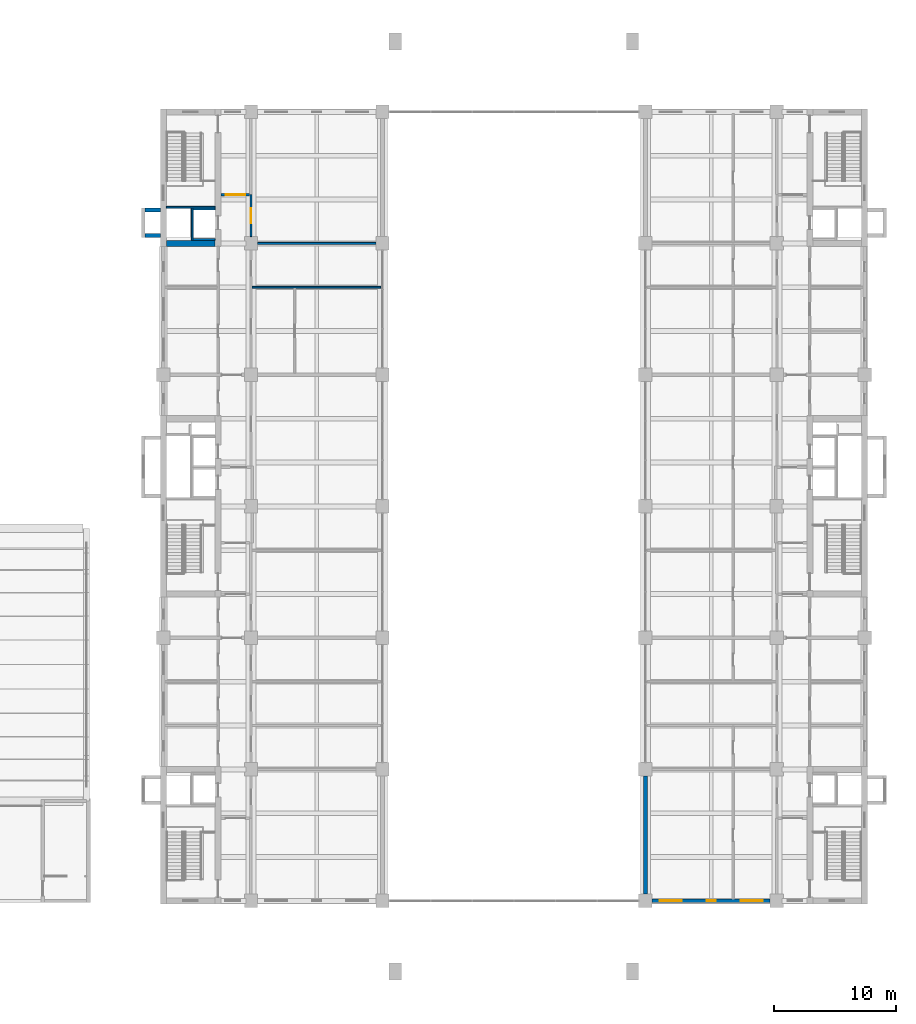
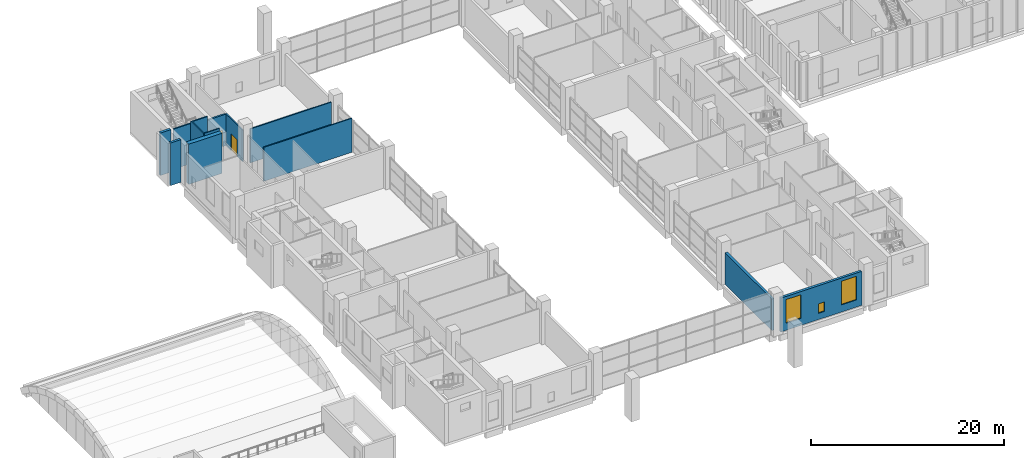
# One storey, part 19 of 32: 13 walls, 3 windows, 2 doors, 5 openings.
"""IFC4 building model written with IfcOpenShell, lengths in metres."""

import ifcopenshell
import ifcopenshell.guid

model = None  # the IFC model being written
_history = None  # IfcOwnerHistory: only IFC2X3 demands one
_inside = {}  # id of a spatial element -> (the spatial element, [elements in it])
_under = {}  # id of a project, library or spatial element -> (it, [spatial elements below it])
_declared = {}  # id of a project -> (the project, [libraries it declares])
_typed = {}  # id of a type object -> (the type object, [elements of that type])
_made_of = {}  # id of a material, layer set ... -> (it, [elements and type objects made of it])


def new_model(schema):
    """Start an empty IFC model of exactly this schema.

    Asked for "IFC4X3", IfcOpenShell would pick the latest addendum, in which some entities
    have other attributes; the version numbers below select the first issue.
    IFC2X3 requires an IfcOwnerHistory on every rooted entity: one is made here for all.
    """
    global model, _history
    if schema == "IFC4X3":
        model = ifcopenshell.file(schema_version=(4, 3, 0, 0))
    else:
        model = ifcopenshell.file(schema=schema)
    _inside.clear()
    _under.clear()
    _declared.clear()
    _typed.clear()
    _made_of.clear()
    _history = None
    if model.schema == "IFC2X3":
        org = make("IfcOrganization", Name="unknown")
        user = make(
            "IfcPersonAndOrganization",
            ThePerson=make("IfcPerson", FamilyName="unknown"),
            TheOrganization=org,
        )
        app = make(
            "IfcApplication",
            ApplicationDeveloper=org,
            Version="unknown",
            ApplicationFullName="unknown",
            ApplicationIdentifier="unknown",
        )
        _history = make(
            "IfcOwnerHistory",
            OwningUser=user,
            OwningApplication=app,
            ChangeAction="ADDED",
            CreationDate=0,
        )
    return model


def make(cls, **values):
    """One entity of the class cls with the attributes given. An attribute that is None is left unset."""
    return model.create_entity(
        cls, **{name: value for name, value in values.items() if value is not None}
    )


def rooted(cls, **values):
    """An entity with a GlobalId (a new one), such as an element, a storey or a relation."""
    return make(cls, GlobalId=ifcopenshell.guid.new(), OwnerHistory=_history, **values)


def si_unit(unit_type, name, prefix=None):
    """IfcSIUnit, for example si_unit("LENGTHUNIT", "METRE", prefix="MILLI")."""
    return make("IfcSIUnit", UnitType=unit_type, Prefix=prefix, Name=name)


def assignment(units):
    """IfcUnitAssignment: the units of a project."""
    return None if units is None else make("IfcUnitAssignment", Units=units)


def point(xyz):
    """IfcCartesianPoint."""
    return None if xyz is None else make("IfcCartesianPoint", Coordinates=xyz)


def direction(xyz):
    """IfcDirection."""
    return None if xyz is None else make("IfcDirection", DirectionRatios=xyz)


def frame(location, z_axis=None, x_axis=None):
    """IfcAxis2Placement3D, a coordinate frame: its origin and axes. An axis left out is left unset."""
    return make(
        "IfcAxis2Placement3D",
        Location=point(location),
        Axis=direction(z_axis),
        RefDirection=direction(x_axis),
    )


def frame_2d(location, x_axis=None):
    """IfcAxis2Placement2D, a coordinate frame in the plane: its origin and x axis."""
    return make(
        "IfcAxis2Placement2D", Location=point(location), RefDirection=direction(x_axis)
    )


def origin():
    """The frame at (0, 0, 0) with its axes left unset."""
    return frame((0.0, 0.0, 0.0))


def place(relative_to, where):
    """IfcLocalPlacement: puts the frame where relative to a parent placement (None: the world)."""
    return make(
        "IfcLocalPlacement", PlacementRelTo=relative_to, RelativePlacement=where
    )


def context(
    kind, dimensions, precision=None, world=None, true_north=None, identifier=None
):
    """IfcGeometricRepresentationContext, for example the 3D "Model" context."""
    return make(
        "IfcGeometricRepresentationContext",
        ContextIdentifier=identifier,
        ContextType=kind,
        CoordinateSpaceDimension=dimensions,
        Precision=precision,
        WorldCoordinateSystem=world,
        TrueNorth=true_north,
    )


def subcontext(parent, identifier, kind, view, scale=None):
    """IfcGeometricRepresentationSubContext, for example "Body" below "Model"."""
    return make(
        "IfcGeometricRepresentationSubContext",
        ContextIdentifier=identifier,
        ContextType=kind,
        ParentContext=parent,
        TargetScale=scale,
        TargetView=view,
    )


def project(units=None, contexts=None):
    """IfcProject with its units and contexts."""
    return rooted(
        "IfcProject",
        Name="project",
        RepresentationContexts=contexts,
        UnitsInContext=assignment(units),
    )


def spatial(cls, under=None, at=None, **own):
    """A site, building, storey or space (cls), placed at a placement, below another one or the project."""
    s = rooted(cls, ObjectPlacement=at, **own)
    if under is not None:
        _under.setdefault(under.id(), (under, []))[1].append(s)
    return s


def profile(cls, at=None, kind="AREA", **sizes):
    """A parametric profile (cls). Its sizes go by their IFC names, for example OverallWidth=200.0."""
    return make(cls, ProfileType=kind, Position=at, **sizes)


def rectangle(**sizes):
    """IfcRectangleProfileDef."""
    return profile("IfcRectangleProfileDef", **sizes)


def extrude(swept, where, along, depth):
    """IfcExtrudedAreaSolid: the profile swept, set in the frame where, extruded along a direction by depth."""
    return make(
        "IfcExtrudedAreaSolid",
        SweptArea=swept,
        Position=where,
        ExtrudedDirection=direction(along),
        Depth=depth,
    )


def shape(context_of_items, identifier, shape_type, items):
    """IfcShapeRepresentation: the items that make up one representation, for example the "Body"."""
    return make(
        "IfcShapeRepresentation",
        ContextOfItems=context_of_items,
        RepresentationIdentifier=identifier,
        RepresentationType=shape_type,
        Items=items,
    )


def material(Name=None, Category=None):
    """IfcMaterial."""
    return make("IfcMaterial", Name=Name, Category=Category)


def layer(
    of_material, thickness, ventilated=None, Name=None, Category=None, Priority=None
):
    """IfcMaterialLayer: one layer of a wall or slab, of a material (None: an air gap)."""
    return make(
        "IfcMaterialLayer",
        Material=of_material,
        LayerThickness=thickness,
        IsVentilated=ventilated,
        Name=Name,
        Category=Category,
        Priority=Priority,
    )


def layer_set(layers, Name=None):
    """IfcMaterialLayerSet."""
    return make("IfcMaterialLayerSet", MaterialLayers=layers, LayerSetName=Name)


def made_of(thing, what):
    """Note that an element or type object is made of a material, layer set ...; save() writes the relation."""
    if what is not None:
        _made_of.setdefault(what.id(), (what, []))[1].append(thing)
    return thing


def type_object(cls, material=None, **own):
    """A type object (cls), such as IfcWallType, which elements share."""
    return made_of(rooted(cls, **own), material)


def element(
    cls,
    number,
    at=None,
    inside=None,
    cuts=None,
    type_object=None,
    material=None,
    context=None,
    identifier="Body",
    shape_type=None,
    held_by="IfcProductDefinitionShape",
    body=None,
    shapes=None,
    **own,
):
    """One element of the class cls, such as IfcWall. Its Tag is "e" and its number.

    at: its placement. inside: the storey or other place that contains it. cuts: it is an
    opening in that element (IfcRelVoidsElement). A single representation is given by context,
    identifier, shape_type and body (its items); several are given by shapes. held_by: the class
    of the entity that holds the representations. save() writes the other relations.
    """
    e = rooted(cls, Tag="e%d" % number, ObjectPlacement=at, **own)
    if body is not None:
        shapes = [shape(context, identifier, shape_type, body)]
    if shapes is not None:
        e.Representation = make(held_by, Representations=shapes)
    if inside is not None:
        _inside.setdefault(inside.id(), (inside, []))[1].append(e)
    if cuts is not None:
        rooted(
            "IfcRelVoidsElement", RelatingBuildingElement=cuts, RelatedOpeningElement=e
        )
    if type_object is not None:
        _typed.setdefault(type_object.id(), (type_object, []))[1].append(e)
    return made_of(e, material)


def fill(opening, filler):
    """IfcRelFillsElement: the door or window that sits in an opening."""
    return rooted(
        "IfcRelFillsElement",
        RelatingOpeningElement=opening,
        RelatedBuildingElement=filler,
    )


def aggregate(whole, parts):
    """IfcRelAggregates: a whole, such as a stair, and the parts it consists of."""
    return rooted("IfcRelAggregates", RelatingObject=whole, RelatedObjects=parts)


def save(model, path):
    """Write the relations noted so far, then the file.

    IfcRelAggregates (storeys below a building ...), IfcRelContainedInSpatialStructure (elements
    in a storey), IfcRelDefinesByType, IfcRelAssociatesMaterial and IfcRelDeclares: one each for
    every whole, place, type object, material and project.
    """
    for whole, parts in _under.values():
        aggregate(whole, parts)
    for where, things in _inside.values():
        rooted(
            "IfcRelContainedInSpatialStructure",
            RelatedElements=things,
            RelatingStructure=where,
        )
    for kind, things in _typed.values():
        rooted("IfcRelDefinesByType", RelatedObjects=things, RelatingType=kind)
    for what, things in _made_of.values():
        rooted("IfcRelAssociatesMaterial", RelatedObjects=things, RelatingMaterial=what)
    for by, libraries in _declared.values():
        rooted("IfcRelDeclares", RelatingContext=by, RelatedDefinitions=libraries)
    model.write(path)


model = new_model("IFC4")

# Units and contexts
model_context = context("Model", 3, precision=1e-05, world=origin(), true_north=direction((0.0, 1.0)))
body_context = subcontext(model_context, "Body", "Model", "MODEL_VIEW")
ifc_project = project(units=[si_unit("LENGTHUNIT", "METRE"), si_unit("AREAUNIT", "SQUARE_METRE"), si_unit("VOLUMEUNIT", "CUBIC_METRE"), si_unit("PLANEANGLEUNIT", "RADIAN"), si_unit("MASSUNIT", "GRAM", prefix="KILO")], contexts=[model_context])

# Site, building, storey
site_placement = place(None, origin())
site = spatial("IfcSite", under=ifc_project, at=site_placement, CompositionType="ELEMENT")
building_placement = place(site_placement, origin())
building = spatial("IfcBuilding", under=site, at=building_placement, Name="Basin Gate Institute", CompositionType="ELEMENT")
storey_placement = place(building_placement, frame((0.0, 0.0, 11.39990234375)))
storey = spatial("IfcBuildingStorey", under=building, at=storey_placement, Name="L02", CompositionType="ELEMENT", Elevation=11.39990234375)

# Wall
ifc_material_1 = material(Name="Fire-resisting board wall assembly")
ifc_layer_1 = layer(ifc_material_1, 0.300048828125)
ifc_layer_set_1 = layer_set([ifc_layer_1], Name="Atrium enclosure wall EW4")
wall_type_1 = type_object("IfcWallType", Name="Atrium enclosure wall EW4", PredefinedType="STANDARD", material=ifc_layer_set_1)
wall_1_placement = place(storey_placement, frame((100.800048828125, 35.64990234375, 0.0), z_axis=(0.0, 0.0, 1.0), x_axis=(0.0, 1.0, 0.0)))
element("IfcWall", 1, at=wall_1_placement, inside=storey, type_object=wall_type_1, material=ifc_layer_set_1, Name="Atrium enclosure wall E wing bay 1 L02", PredefinedType="STANDARD", context=body_context, shape_type="SweptSolid", body=[
    extrude(rectangle(XDim=9.7001953125, YDim=0.300048828125, at=frame_2d((4.85009765625, 0.0))), origin(), (0.0, 0.0, 1.0), 4.0),
])

# Wall, opening, door
ifc_material_2 = material(Name="Fire-rated masonry", Category="masonry")
ifc_layer_2 = layer(ifc_material_2, 0.199951171875)
ifc_layer_set_2 = layer_set([ifc_layer_2], Name="Enclosure wall PW2 200 EI 60")
wall_type_2 = type_object("IfcWallType", Name="Enclosure wall PW2 200 EI 60", PredefinedType="PARTITIONING", material=ifc_layer_set_2)
wall_2_placement = place(storey_placement, frame((65.949951171875, 93.10009765625, 0.0), z_axis=(0.0, 0.0, 1.0), x_axis=(1.0, 0.0, 0.0)))
wall_2 = element("IfcWall", 2, at=wall_2_placement, inside=storey, type_object=wall_type_2, material=ifc_layer_set_2, Name="Smoke lobby enclosure wall PW2 L02", PredefinedType="PARTITIONING", context=body_context, shape_type="SweptSolid", body=[
    extrude(rectangle(XDim=2.35009765625, YDim=0.199951171875, at=frame_2d((1.175048828125, 0.0))), origin(), (0.0, 0.0, 1.0), 4.0),
])
opening_1_placement = place(wall_2_placement, frame((0.375, 0.0, 0.0)))
opening_1 = element("IfcOpeningElement", 3, at=opening_1_placement, cuts=wall_2, Name="Opening DR145", PredefinedType="OPENING", context=body_context, shape_type="SweptSolid", body=[
    extrude(rectangle(XDim=1.60009765625, YDim=2.10009765625, at=frame_2d((0.800048828125, 1.050048828125))), frame((0.0, 0.10986328125, 0.0), z_axis=(0.0, -1.0, 0.0), x_axis=(1.0, 0.0, 0.0)), (0.0, 0.0, 1.0), 0.219970703125),
])
ifc_material_3 = material(Name="Steel fire door", Category="steel")
door_type_1 = type_object("IfcDoorType", Name="FD60 Smoke lobby door pair D8", OperationType="DOUBLE_DOOR_SINGLE_SWING", PredefinedType="DOOR", material=ifc_material_3)
door_1_placement = place(opening_1_placement, origin())
door_1 = element("IfcDoor", 4, at=door_1_placement, inside=storey, type_object=door_type_1, material=ifc_material_3, Name="Smoke lobby door SS3 L02", OperationType="DOUBLE_DOOR_SINGLE_SWING", OverallHeight=2.10009765625, OverallWidth=1.60009765625, PredefinedType="DOOR", context=body_context, shape_type="SweptSolid", body=[
    extrude(rectangle(XDim=1.60009765625, YDim=2.10009765625, at=frame_2d((0.800048828125, 1.050048828125))), frame((0.0, 0.02490234375, 0.0), z_axis=(0.0, -1.0, 0.0), x_axis=(1.0, 0.0, 0.0)), (0.0, 0.0, 1.0), 0.050048828125),
])
fill(opening_1, door_1)

# Wall, openings, windows
ifc_material_4 = material(Name="Aluminium-faced insulated panel wall", Category="aluminium")
ifc_layer_3 = layer(ifc_material_4, 0.300048828125)
ifc_layer_set_3 = layer_set([ifc_layer_3], Name="External wall EW1 EI 120")
wall_type_3 = type_object("IfcWallType", Name="External wall EW1 EI 120", PredefinedType="STANDARD", material=ifc_layer_set_3)
wall_3_placement = place(storey_placement, frame((111.050048828125, 35.10009765625, 0.0), z_axis=(0.0, 0.0, 1.0), x_axis=(-1.0, 0.0, 0.0)))
wall_3 = element("IfcWall", 5, at=wall_3_placement, inside=storey, type_object=wall_type_3, material=ifc_layer_set_3, Name="External end wall E wing south L02 2", PredefinedType="STANDARD", context=body_context, shape_type="SweptSolid", body=[
    extrude(rectangle(XDim=9.699951171875, YDim=0.300048828125, at=frame_2d((4.85009765625, 0.0))), origin(), (0.0, 0.0, 1.0), 4.300048828125),
])
opening_2_placement = place(wall_3_placement, frame((0.625, 0.0, 0.89990234375)))
opening_2 = element("IfcOpeningElement", 6, at=opening_2_placement, cuts=wall_3, Name="Opening WN2", PredefinedType="OPENING", context=body_context, shape_type="SweptSolid", body=[
    extrude(rectangle(XDim=1.800048828125, YDim=3.0, at=frame_2d((0.89990234375, 1.5))), frame((0.0, 0.16015625, 0.0), z_axis=(0.0, -1.0, 0.0), x_axis=(1.0, 0.0, 0.0)), (0.0, 0.0, 1.0), 0.320068359375),
])
opening_3_placement = place(wall_3_placement, frame((4.47509765625, 0.0, 0.800048828125)))
opening_3 = element("IfcOpeningElement", 7, at=opening_3_placement, cuts=wall_3, Name="Opening WN3", PredefinedType="OPENING", context=body_context, shape_type="SweptSolid", body=[
    extrude(rectangle(XDim=0.75, YDim=1.199951171875, at=frame_2d((0.375, 0.60009765625))), frame((0.0, 0.16015625, 0.0), z_axis=(0.0, -1.0, 0.0), x_axis=(1.0, 0.0, 0.0)), (0.0, 0.0, 1.0), 0.320068359375),
])
opening_4_placement = place(wall_3_placement, frame((7.27490234375, 0.0, 0.89990234375)))
opening_4 = element("IfcOpeningElement", 8, at=opening_4_placement, cuts=wall_3, Name="Opening WN2", PredefinedType="OPENING", context=body_context, shape_type="SweptSolid", body=[
    extrude(rectangle(XDim=1.800048828125, YDim=3.0, at=frame_2d((0.89990234375, 1.5))), frame((0.0, 0.16015625, 0.0), z_axis=(0.0, -1.0, 0.0), x_axis=(1.0, 0.0, 0.0)), (0.0, 0.0, 1.0), 0.320068359375),
])
ifc_material_5 = material(Name="Aluminium-framed double glazing", Category="aluminium")
window_type_1 = type_object("IfcWindowType", Name="Emergency entry panel WN3", PartitioningType="SINGLE_PANEL", PredefinedType="WINDOW", material=ifc_material_5)
window_1_placement = place(opening_3_placement, origin())
window_1 = element("IfcWindow", 9, at=window_1_placement, inside=storey, type_object=window_type_1, material=ifc_material_5, Name="Emergency entry panel E wing end S L02 bay 2", OverallHeight=1.199951171875, OverallWidth=0.75, PartitioningType="SINGLE_PANEL", PredefinedType="WINDOW", context=body_context, shape_type="SweptSolid", body=[
    extrude(rectangle(XDim=0.75, YDim=1.199951171875, at=frame_2d((0.375, 0.60009765625))), frame((0.0, 0.030029296875, 0.0), z_axis=(0.0, -1.0, 0.0), x_axis=(1.0, 0.0, 0.0)), (0.0, 0.0, 1.0), 0.06005859375),
])
fill(opening_3, window_1)
ifc_material_6 = material(Name="Aluminium-framed double glazing", Category="aluminium")
window_type_2 = type_object("IfcWindowType", Name="Podium window WN2", PartitioningType="SINGLE_PANEL", PredefinedType="WINDOW", material=ifc_material_6)
window_2_placement = place(opening_2_placement, origin())
window_2 = element("IfcWindow", 10, at=window_2_placement, inside=storey, type_object=window_type_2, material=ifc_material_6, Name="Podium window E wing end S L02 bay 1", OverallHeight=3.0, OverallWidth=1.800048828125, PartitioningType="SINGLE_PANEL", PredefinedType="WINDOW", context=body_context, shape_type="SweptSolid", body=[
    extrude(rectangle(XDim=1.800048828125, YDim=3.0, at=frame_2d((0.89990234375, 1.5))), frame((0.0, 0.030029296875, 0.0), z_axis=(0.0, -1.0, 0.0), x_axis=(1.0, 0.0, 0.0)), (0.0, 0.0, 1.0), 0.06005859375),
])
fill(opening_2, window_2)
window_3_placement = place(opening_4_placement, origin())
window_3 = element("IfcWindow", 11, at=window_3_placement, inside=storey, type_object=window_type_2, material=ifc_material_6, Name="Podium window E wing end S L02 bay 3", OverallHeight=3.0, OverallWidth=1.800048828125, PartitioningType="SINGLE_PANEL", PredefinedType="WINDOW", context=body_context, shape_type="SweptSolid", body=[
    extrude(rectangle(XDim=1.800048828125, YDim=3.0, at=frame_2d((0.89990234375, 1.5))), frame((0.0, 0.030029296875, 0.0), z_axis=(0.0, -1.0, 0.0), x_axis=(1.0, 0.0, 0.0)), (0.0, 0.0, 1.0), 0.06005859375),
])
fill(opening_4, window_3)

# Wall, opening, door
ifc_material_7 = material(Name="Gypsum board on steel stud", Category="steel")
ifc_layer_4 = layer(ifc_material_7, 0.14990234375)
ifc_layer_set_4 = layer_set([ifc_layer_4], Name="Gypsum board on steel stud")
wall_type_4 = type_object("IfcWallType", Name="Partition PW1 150 EI 60", PredefinedType="PARTITIONING", material=ifc_layer_set_4)
wall_4_placement = place(storey_placement, frame((68.39990234375, 89.64990234375, 0.0), z_axis=(0.0, 0.0, 1.0), x_axis=(0.0, 1.0, 0.0)))
wall_4 = element("IfcWall", 12, at=wall_4_placement, inside=storey, type_object=wall_type_4, material=ifc_layer_set_4, Name="Laboratory corridor wall PW1 L02", PredefinedType="PARTITIONING", context=body_context, shape_type="SweptSolid", body=[
    extrude(rectangle(XDim=3.4501953125, YDim=0.14990234375, at=frame_2d((1.72509765625, 0.0))), origin(), (0.0, 0.0, 1.0), 4.0),
])
opening_5_placement = place(wall_4_placement, frame((1.125, 0.0, 0.0)))
opening_5 = element("IfcOpeningElement", 13, at=opening_5_placement, cuts=wall_4, Name="Opening DR127", PredefinedType="OPENING", context=body_context, shape_type="SweptSolid", body=[
    extrude(rectangle(XDim=1.199951171875, YDim=2.10009765625, at=frame_2d((0.60009765625, 1.050048828125))), frame((0.0, 0.0849609375, 0.0), z_axis=(0.0, -1.0, 0.0), x_axis=(1.0, 0.0, 0.0)), (0.0, 0.0, 1.0), 0.169921875),
])
ifc_material_8 = material(Name="Timber fire door", Category="wood")
door_type_2 = type_object("IfcDoorType", Name="FD30 Laboratory door D2", OperationType="DOUBLE_DOOR_SINGLE_SWING", PredefinedType="DOOR", material=ifc_material_8)
door_2_placement = place(opening_5_placement, frame((1.199951171875, 0.0, 0.0), z_axis=(0.0, 0.0, 1.0), x_axis=(-1.0, 0.0, 0.0)))
door_2 = element("IfcDoor", 14, at=door_2_placement, inside=storey, type_object=door_type_2, material=ifc_material_8, Name="Door to Exhibition Gallery 0225 L02", OperationType="DOUBLE_DOOR_SINGLE_SWING", OverallHeight=2.10009765625, OverallWidth=1.199951171875, PredefinedType="DOOR", context=body_context, shape_type="SweptSolid", body=[
    extrude(rectangle(XDim=1.199951171875, YDim=2.10009765625, at=frame_2d((0.60009765625, 1.050048828125))), frame((0.0, 0.02490234375, 0.0), z_axis=(0.0, -1.0, 0.0), x_axis=(1.0, 0.0, 0.0)), (0.0, 0.0, 1.0), 0.050048828125),
])
fill(opening_5, door_2)

# Walls
wall_5_placement = place(storey_placement, frame((68.47509765625, 85.5, 0.0), z_axis=(0.0, 0.0, 1.0), x_axis=(1.0, 0.0, 0.0)))
element("IfcWall", 15, at=wall_5_placement, inside=storey, type_object=wall_type_4, material=ifc_layer_set_4, Name="Clean room wall PW1 L02", PredefinedType="PARTITIONING", context=body_context, shape_type="SweptSolid", body=[
    extrude(rectangle(XDim=10.574951171875, YDim=0.14990234375, at=frame_2d((5.28759765625, 0.0))), origin(), (0.0, 0.0, 1.0), 4.300048828125),
])
wall_6_placement = place(storey_placement, frame((68.949951171875, 89.10009765625, 0.0), z_axis=(0.0, 0.0, 1.0), x_axis=(1.0, 0.0, 0.0)))
element("IfcWall", 16, at=wall_6_placement, inside=storey, type_object=wall_type_4, material=ifc_layer_set_4, Name="Laboratory partition PW1 L02", PredefinedType="PARTITIONING", context=body_context, shape_type="SweptSolid", body=[
    extrude(rectangle(XDim=9.699951171875, YDim=0.14990234375, at=frame_2d((4.85009765625, 0.0))), origin(), (0.0, 0.0, 1.0), 4.300048828125),
])
ifc_material_9 = material(Name="Concrete 40 MPa", Category="concrete")
ifc_layer_5 = layer(ifc_material_9, 0.14990234375)
ifc_layer_set_5 = layer_set([ifc_layer_5], Name="Concrete 40 MPa")
wall_type_5 = type_object("IfcWallType", Name="Wall LS1 lift shaft enclosure R180", PredefinedType="SOLIDWALL", material=ifc_layer_set_5)
wall_7_placement = place(storey_placement, frame((63.574951171875, 92.0, 0.0), z_axis=(0.0, 0.0, 1.0), x_axis=(0.0, -1.0, 0.0)))
element("IfcWall", 17, at=wall_7_placement, inside=storey, type_object=wall_type_5, material=ifc_layer_set_5, Name="Lift shaft enclosure LP3 L02 UL", PredefinedType="SOLIDWALL", context=body_context, shape_type="SweptSolid", body=[
    extrude(rectangle(XDim=2.64990234375, YDim=0.14990234375, at=frame_2d((1.324951171875, 0.0))), origin(), (0.0, 0.0, 1.0), 5.400146484375),
])
for number, where, z_axis, x_axis, name in (
    (18, (63.64990234375, 91.925048828125, 0.0), (0.0, 0.0, 1.0), (1.0, 0.0, 0.0), "Lift shaft enclosure LP3 L02 RL"),
    (19, (63.64990234375, 89.425048828125, 0.0), (0.0, 0.0, 1.0), (1.0, 0.0, 0.0), "Lift shaft enclosure LP3 L02 RH"),
):
    element("IfcWall", number, at=place(storey_placement, frame(where, z_axis=z_axis, x_axis=x_axis)), inside=storey, type_object=wall_type_5, material=ifc_layer_set_5, Name=name, PredefinedType="SOLIDWALL", context=body_context, shape_type="SweptSolid", body=[
        extrude(rectangle(XDim=1.800048828125, YDim=0.14990234375, at=frame_2d((0.89990234375, 0.0))), origin(), (0.0, 0.0, 1.0), 5.400146484375),
    ])
ifc_material_10 = material(Name="Concrete 40 MPa", Category="concrete")
ifc_layer_6 = layer(ifc_material_10, 0.14990234375)
ifc_layer_set_6 = layer_set([ifc_layer_6], Name="Concrete 40 MPa")
wall_type_6 = type_object("IfcWallType", Name="Wall SE1 stair enclosure R180", PredefinedType="SOLIDWALL", material=ifc_layer_set_6)
wall_8_placement = place(storey_placement, frame((61.449951171875, 92.074951171875, 0.0), z_axis=(0.0, 0.0, 1.0), x_axis=(1.0, 0.0, 0.0)))
element("IfcWall", 20, at=wall_8_placement, inside=storey, type_object=wall_type_6, material=ifc_layer_set_6, Name="Stair enclosure wall ST-WN L02", PredefinedType="SOLIDWALL", context=body_context, shape_type="SweptSolid", body=[
    extrude(rectangle(XDim=4.0, YDim=0.14990234375, at=frame_2d((2.0, 0.0))), origin(), (0.0, 0.0, 1.0), 5.10009765625),
])
ifc_material_11 = material(Name="Concrete 50 MPa", Category="concrete")
ifc_layer_7 = layer(ifc_material_11, 0.300048828125)
ifc_layer_set_7 = layer_set([ifc_layer_7], Name="Concrete 50 MPa")
wall_type_7 = type_object("IfcWallType", Name="Wall SK1 R180", PredefinedType="SHEAR", material=ifc_layer_set_7)
for number, where, z_axis, x_axis, name in (
    (21, (60.949951171875, 89.75, 0.0), (0.0, 0.0, 1.0), (-1.0, 0.0, 0.0), "Spine riser stack wall SK1 WN A L02"),
    (22, (60.949951171875, 91.85009765625, 0.0), (0.0, 0.0, 1.0), (-1.0, 0.0, 0.0), "Spine riser stack wall SK1 WN B L02"),
):
    element("IfcWall", number, at=place(storey_placement, frame(where, z_axis=z_axis, x_axis=x_axis)), inside=storey, type_object=wall_type_7, material=ifc_layer_set_7, Name=name, PredefinedType="SHEAR", context=body_context, shape_type="SweptSolid", body=[
        extrude(rectangle(XDim=1.25, YDim=0.300048828125, at=frame_2d((0.625, 0.0))), origin(), (0.0, 0.0, 1.0), 5.400146484375),
    ])
ifc_material_12 = material(Name="Concrete 60 MPa", Category="concrete")
ifc_layer_8 = layer(ifc_material_12, 0.5)
ifc_layer_set_8 = layer_set([ifc_layer_8], Name="Concrete 60 MPa")
wall_type_8 = type_object("IfcWallType", Name="Wall SW1 R180", PredefinedType="SHEAR", material=ifc_layer_set_8)
wall_9_placement = place(storey_placement, frame((61.449951171875, 89.10009765625, 0.0), z_axis=(0.0, 0.0, 1.0), x_axis=(1.0, 0.0, 0.0)))
element("IfcWall", 23, at=wall_9_placement, inside=storey, type_object=wall_type_8, material=ifc_layer_set_8, Name="WALL/L02/WN/S", PredefinedType="SHEAR", context=body_context, shape_type="SweptSolid", body=[
    extrude(rectangle(XDim=4.0, YDim=0.5, at=frame_2d((2.0, 0.0))), origin(), (0.0, 0.0, 1.0), 5.10009765625),
])

save(model, "model.ifc")
